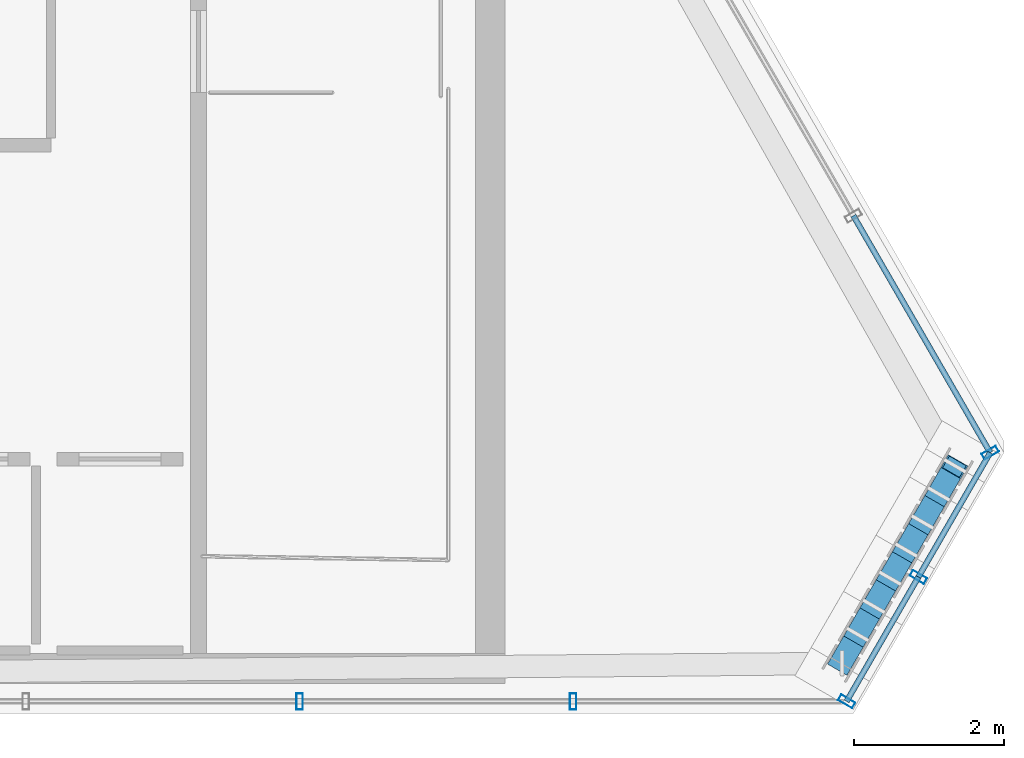
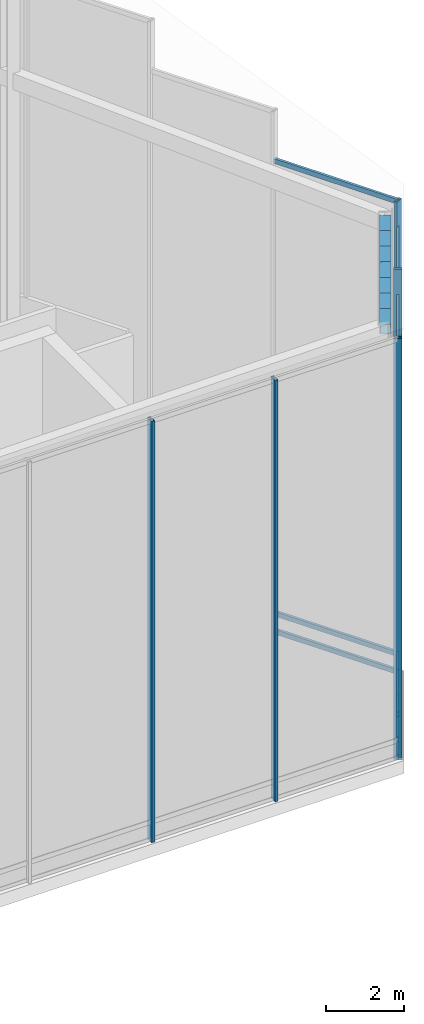
# One storey, part 23 of 36: 21 members, 4 elements without a shape of their own.
"""IFC4 building model written with IfcOpenShell, lengths in metres."""

from ifc_helpers import new_model, si_unit, direction, frame, origin, origin_2d, place, context, subcontext, project, spatial, hollow_rectangle, extrude, material, layer, layer_set, material_profile, profile_set, type_object, element, aggregate, save


model = new_model("IFC4")

# Units and contexts
model_context = context("Model", 3, precision=1e-05, world=origin(), true_north=direction((0.0, 1.0)))
body_context = subcontext(model_context, "Body", "Model", "MODEL_VIEW")
ifc_project = project(units=[si_unit("LENGTHUNIT", "METRE"), si_unit("AREAUNIT", "SQUARE_METRE"), si_unit("VOLUMEUNIT", "CUBIC_METRE"), si_unit("PLANEANGLEUNIT", "RADIAN"), si_unit("MASSUNIT", "GRAM", prefix="KILO")], contexts=[model_context])

# Site, building, storey
site_placement = place(None, origin())
site = spatial("IfcSite", under=ifc_project, at=site_placement, CompositionType="ELEMENT")
building_placement = place(site_placement, origin())
building = spatial("IfcBuilding", under=site, at=building_placement, Name="Ndaravel Arena Tower", CompositionType="ELEMENT")
storey_placement = place(building_placement, frame((0.0, 0.0, 308.10009765625)))
storey = spatial("IfcBuildingStorey", under=building, at=storey_placement, Name="Roof Crown", CompositionType="ELEMENT", Elevation=308.10009765625)

# Members
ifc_material_1 = material(Name="Steel S355", Category="steel")
ifc_material_profile_1 = material_profile(ifc_material_1, hollow_rectangle(XDim=0.300048828125, YDim=0.5, WallThickness=0.02001953125, at=origin_2d()), Name="RHS 500x300x20")
ifc_profile_set_1 = profile_set([ifc_material_profile_1], Name="Steel S355")
member_type_1 = type_object("IfcMemberType", Name="MEM-CRN-RAFTER", PredefinedType="RAFTER", material=ifc_profile_set_1)
for number, where, z_axis, x_axis, name in (
    (1, (62.038818359375, 5.667724609375, 13.185791015625), (0.460433473753, 0.797980986605, 0.388879623102), (-0.866157475642, 0.499771175029, 0.0), "Crown Eaves Ring Member CER-02"),
    (2, (62.255615234375, 6.04345703125, 13.368896484375), (0.460433473753, 0.797980986605, 0.388879623102), (-0.866157475642, 0.499771175029, 0.0), "Crown Eaves Ring Member CER-03"),
    (3, (62.472412109375, 6.419189453125, 13.552001953125), (0.460748998842, 0.797629594171, 0.389226657064), (-0.865913813825, 0.500193229689, 0.0), "Crown Eaves Ring Member CER-04"),
):
    element("IfcMember", number, at=place(storey_placement, frame(where, z_axis=z_axis, x_axis=x_axis)), inside=storey, type_object=member_type_1, Name=name, PredefinedType="RAFTER", context=body_context, shape_type="SweptSolid", body=[
        extrude(hollow_rectangle(XDim=0.300048828125, YDim=0.5, WallThickness=0.02001953125, at=origin_2d()), origin(), (0.0, 0.0, 1.0), 0.470947265625),
    ])
member_1_placement = place(storey_placement, frame((62.689453125, 6.794921875, 13.7353515625), z_axis=(0.460624038162, 0.797792534564, 0.389040572772), x_axis=(-0.866016800201, 0.500014901547, 0.0)))
element("IfcMember", 4, at=member_1_placement, inside=storey, type_object=member_type_1, Name="Crown Eaves Ring Member CER-05", PredefinedType="RAFTER", context=body_context, shape_type="SweptSolid", body=[
    extrude(hollow_rectangle(XDim=0.300048828125, YDim=0.5, WallThickness=0.02001953125, at=origin_2d()), origin(), (0.0, 0.0, 1.0), 0.470703125),
])
member_2_placement = place(storey_placement, frame((62.90625, 7.17041015625, 13.91845703125), z_axis=(0.460340599782, 0.797820025973, 0.389319583824), x_axis=(-0.866157475642, 0.499771175029, 0.0)))
element("IfcMember", 5, at=member_2_placement, inside=storey, type_object=member_type_1, Name="Crown Eaves Ring Member CER-06", PredefinedType="RAFTER", context=body_context, shape_type="SweptSolid", body=[
    extrude(hollow_rectangle(XDim=0.300048828125, YDim=0.5, WallThickness=0.02001953125, at=origin_2d()), origin(), (0.0, 0.0, 1.0), 0.470947265625),
])
member_3_placement = place(storey_placement, frame((63.123046875, 7.546142578125, 14.101806640625), z_axis=(0.461032553142, 0.79760187484, 0.388947598264), x_axis=(-0.865772940384, 0.500437024708, 0.0)))
element("IfcMember", 6, at=member_3_placement, inside=storey, type_object=member_type_1, Name="Crown Eaves Ring Member CER-07", PredefinedType="RAFTER", context=body_context, shape_type="SweptSolid", body=[
    extrude(hollow_rectangle(XDim=0.300048828125, YDim=0.5, WallThickness=0.02001953125, at=origin_2d()), origin(), (0.0, 0.0, 1.0), 0.470703125),
])
member_4_placement = place(storey_placement, frame((63.340087890625, 7.921630859375, 14.284912109375), z_axis=(0.460340599782, 0.797820025973, 0.389319583824), x_axis=(-0.866157475642, 0.499771175029, 0.0)))
element("IfcMember", 7, at=member_4_placement, inside=storey, type_object=member_type_1, Name="Crown Eaves Ring Member CER-08", PredefinedType="RAFTER", context=body_context, shape_type="SweptSolid", body=[
    extrude(hollow_rectangle(XDim=0.300048828125, YDim=0.5, WallThickness=0.02001953125, at=origin_2d()), origin(), (0.0, 0.0, 1.0), 0.470947265625),
])

# Curtain wall, members
ifc_material_2 = material(Name="Aluminium", Category="aluminium")
ifc_layer = layer(ifc_material_2, 0.179931640625)
ifc_layer_set = layer_set([ifc_layer], Name="Aluminium")
curtain_wall_type = type_object("IfcCurtainWallType", Name="CW-SYS-06", PredefinedType="NOTDEFINED", material=ifc_layer_set)
curtain_wall_1_placement = place(storey_placement, origin())
curtain_wall_1 = element("IfcCurtainWall", 8, at=curtain_wall_1_placement, inside=storey, type_object=curtain_wall_type, Name="Roof Crown Sloped Crown Lantern Curtain Wall CW-CROWN-E01", PredefinedType="NOTDEFINED")
ifc_material_3 = material(Name="Aluminium", Category="aluminium")
ifc_material_profile_2 = material_profile(ifc_material_3, hollow_rectangle(XDim=0.090087890625, YDim=0.219970703125, WallThickness=0.0048828125, at=origin_2d()), Name="CW MULLION 90x220x5")
ifc_profile_set_2 = profile_set([ifc_material_profile_2], Name="Aluminium")
member_type_2 = type_object("IfcMemberType", Name="MEM-CW-MUL220", PredefinedType="MULLION", material=ifc_profile_set_2)
member_5_placement = place(storey_placement, frame((54.800537109375, 5.159912109375, 0.0), z_axis=(0.0, 0.0, 1.0), x_axis=(1.0, 0.0, 0.0)))
member_5 = element("IfcMember", 9, at=member_5_placement, type_object=member_type_2, Name="CW-CROWN-E01 Mullion 09", PredefinedType="MULLION", context=body_context, shape_type="SweptSolid", body=[
    extrude(hollow_rectangle(XDim=0.090087890625, YDim=0.219970703125, WallThickness=0.0048828125, at=origin_2d()), origin(), (0.0, 0.0, 1.0), 13.2080078125),
])
member_6_placement = place(storey_placement, frame((58.457763671875, 5.159912109375, 0.0), z_axis=(0.0, 0.0, 1.0), x_axis=(1.0, 0.0, 0.0)))
member_6 = element("IfcMember", 10, at=member_6_placement, type_object=member_type_2, Name="CW-CROWN-E01 Mullion 10", PredefinedType="MULLION", context=body_context, shape_type="SweptSolid", body=[
    extrude(hollow_rectangle(XDim=0.090087890625, YDim=0.219970703125, WallThickness=0.0048828125, at=origin_2d()), origin(), (0.0, 0.0, 1.0), 13.2080078125),
])
aggregate(curtain_wall_1, [member_5, member_6])

# Curtain wall, member
curtain_wall_2_placement = place(storey_placement, origin())
curtain_wall_2 = element("IfcCurtainWall", 11, at=curtain_wall_2_placement, inside=storey, type_object=curtain_wall_type, Name="Roof Crown Sloped Crown Lantern Curtain Wall CW-CROWN-E02-S01", PredefinedType="NOTDEFINED")
member_7_placement = place(storey_placement, frame((62.114990234375, 5.159912109375, 0.0), z_axis=(0.0, 0.0, 1.0), x_axis=(0.5, 0.866025403784, 0.0)))
member_7 = element("IfcMember", 12, at=member_7_placement, type_object=member_type_2, Name="CW-CROWN-E02-S01 Mullion 00", PredefinedType="MULLION", context=body_context, shape_type="SweptSolid", body=[
    extrude(hollow_rectangle(XDim=0.090087890625, YDim=0.219970703125, WallThickness=0.0048828125, at=origin_2d()), origin(), (0.0, 0.0, 1.0), 13.2080078125),
])

curtain_wall_3_placement = place(storey_placement, origin())
curtain_wall_3 = element("IfcCurtainWall", 13, at=curtain_wall_3_placement, inside=storey, type_object=curtain_wall_type, Name="Roof Crown Sloped Crown Lantern Curtain Wall CW-CROWN-E02-S02", PredefinedType="NOTDEFINED")
member_8_placement = place(storey_placement, frame((63.074951171875, 6.822509765625, 0.0), z_axis=(0.0, 0.0, 1.0), x_axis=(0.5, 0.866025403784, 0.0)))
member_8 = element("IfcMember", 14, at=member_8_placement, type_object=member_type_2, Name="CW-CROWN-E02-S02 Mullion 00", PredefinedType="MULLION", context=body_context, shape_type="SweptSolid", body=[
    extrude(hollow_rectangle(XDim=0.090087890625, YDim=0.219970703125, WallThickness=0.0048828125, at=origin_2d()), origin(), (0.0, 0.0, 1.0), 14.018798828125),
])

curtain_wall_4_placement = place(storey_placement, origin())
curtain_wall_4 = element("IfcCurtainWall", 15, at=curtain_wall_4_placement, inside=storey, type_object=curtain_wall_type, Name="Roof Crown Sloped Crown Lantern Curtain Wall CW-CROWN-E03-S01", PredefinedType="NOTDEFINED")
member_9_placement = place(storey_placement, frame((64.034912109375, 8.485107421875, 0.0), z_axis=(0.0, 0.0, 1.0), x_axis=(-0.499984884929, 0.866034130299, 0.0)))
member_9 = element("IfcMember", 16, at=member_9_placement, type_object=member_type_2, Name="CW-CROWN-E03-S01 Mullion 00", PredefinedType="MULLION", context=body_context, shape_type="SweptSolid", body=[
    extrude(hollow_rectangle(XDim=0.090087890625, YDim=0.219970703125, WallThickness=0.0048828125, at=origin_2d()), origin(), (0.0, 0.0, 1.0), 14.829833984375),
])

# Member
ifc_material_4 = material(Name="Aluminium", Category="aluminium")
ifc_material_profile_3 = material_profile(ifc_material_4, hollow_rectangle(XDim=0.074951171875, YDim=0.14990234375, WallThickness=0.00390625, at=origin_2d()), Name="CW TRANSOM 75x150x4")
ifc_profile_set_3 = profile_set([ifc_material_profile_3], Name="Aluminium")
member_type_3 = type_object("IfcMemberType", Name="MEM-CW-TRN150", PredefinedType="USERDEFINED", material=ifc_profile_set_3)
member_10_placement = place(storey_placement, frame((62.114990234375, 5.159912109375, 0.039794921875), z_axis=(0.500023335103, 0.866011930837, 0.0), x_axis=(-0.866011930837, 0.500023335103, 0.0)))
member_10 = element("IfcMember", 17, at=member_10_placement, type_object=member_type_3, Name="CW-CROWN-E02-S01 Transom 01", ObjectType="TRANSOM", PredefinedType="USERDEFINED", context=body_context, shape_type="SweptSolid", body=[
    extrude(hollow_rectangle(XDim=0.074951171875, YDim=0.14990234375, WallThickness=0.00390625, at=origin_2d()), origin(), (0.0, 0.0, 1.0), 1.919921875),
])

member_11_placement = place(storey_placement, frame((62.114990234375, 5.159912109375, 0.599853515625), z_axis=(0.500023335103, 0.866011930837, 0.0), x_axis=(-0.866011930837, 0.500023335103, 0.0)))
member_11 = element("IfcMember", 18, at=member_11_placement, type_object=member_type_3, Name="CW-CROWN-E02-S01 Transom 02", ObjectType="TRANSOM", PredefinedType="USERDEFINED", context=body_context, shape_type="SweptSolid", body=[
    extrude(hollow_rectangle(XDim=0.074951171875, YDim=0.14990234375, WallThickness=0.00390625, at=origin_2d()), origin(), (0.0, 0.0, 1.0), 1.919921875),
])

member_12_placement = place(storey_placement, frame((62.114990234375, 5.159912109375, 13.16796875), z_axis=(0.500023335103, 0.866011930837, 0.0), x_axis=(-0.866011930837, 0.500023335103, 0.0)))
member_12 = element("IfcMember", 19, at=member_12_placement, type_object=member_type_3, Name="CW-CROWN-E02-S01 Transom 03", ObjectType="TRANSOM", PredefinedType="USERDEFINED", context=body_context, shape_type="SweptSolid", body=[
    extrude(hollow_rectangle(XDim=0.074951171875, YDim=0.14990234375, WallThickness=0.00390625, at=origin_2d()), origin(), (0.0, 0.0, 1.0), 1.919921875),
])

aggregate(curtain_wall_2, [member_7, member_10, member_11, member_12])

member_13_placement = place(storey_placement, frame((63.074951171875, 6.822509765625, 0.039794921875), z_axis=(0.500023335103, 0.866011930837, 0.0), x_axis=(-0.866011930837, 0.500023335103, 0.0)))
member_13 = element("IfcMember", 20, at=member_13_placement, type_object=member_type_3, Name="CW-CROWN-E02-S02 Transom 01", ObjectType="TRANSOM", PredefinedType="USERDEFINED", context=body_context, shape_type="SweptSolid", body=[
    extrude(hollow_rectangle(XDim=0.074951171875, YDim=0.14990234375, WallThickness=0.00390625, at=origin_2d()), origin(), (0.0, 0.0, 1.0), 1.919921875),
])

member_14_placement = place(storey_placement, frame((63.074951171875, 6.822509765625, 0.599853515625), z_axis=(0.500023335103, 0.866011930837, 0.0), x_axis=(-0.866011930837, 0.500023335103, 0.0)))
member_14 = element("IfcMember", 21, at=member_14_placement, type_object=member_type_3, Name="CW-CROWN-E02-S02 Transom 02", ObjectType="TRANSOM", PredefinedType="USERDEFINED", context=body_context, shape_type="SweptSolid", body=[
    extrude(hollow_rectangle(XDim=0.074951171875, YDim=0.14990234375, WallThickness=0.00390625, at=origin_2d()), origin(), (0.0, 0.0, 1.0), 1.919921875),
])

member_15_placement = place(storey_placement, frame((63.074951171875, 6.822509765625, 13.97900390625), z_axis=(0.500023335103, 0.866011930837, 0.0), x_axis=(-0.866011930837, 0.500023335103, 0.0)))
member_15 = element("IfcMember", 22, at=member_15_placement, type_object=member_type_3, Name="CW-CROWN-E02-S02 Transom 03", ObjectType="TRANSOM", PredefinedType="USERDEFINED", context=body_context, shape_type="SweptSolid", body=[
    extrude(hollow_rectangle(XDim=0.074951171875, YDim=0.14990234375, WallThickness=0.00390625, at=origin_2d()), origin(), (0.0, 0.0, 1.0), 1.919921875),
])

aggregate(curtain_wall_3, [member_8, member_13, member_14, member_15])

member_16_placement = place(storey_placement, frame((64.034912109375, 8.485107421875, 0.039794921875), z_axis=(-0.499972845398, 0.866041080934, 0.0), x_axis=(-0.866041080934, -0.499972845398, 0.0)))
member_16 = element("IfcMember", 23, at=member_16_placement, type_object=member_type_3, Name="CW-CROWN-E03-S01 Transom 01", ObjectType="TRANSOM", PredefinedType="USERDEFINED", context=body_context, shape_type="SweptSolid", body=[
    extrude(hollow_rectangle(XDim=0.074951171875, YDim=0.14990234375, WallThickness=0.00390625, at=origin_2d()), origin(), (0.0, 0.0, 1.0), 3.657470703125),
])

member_17_placement = place(storey_placement, frame((64.034912109375, 8.485107421875, 0.599853515625), z_axis=(-0.499972845398, 0.866041080934, 0.0), x_axis=(-0.866041080934, -0.499972845398, 0.0)))
member_17 = element("IfcMember", 24, at=member_17_placement, type_object=member_type_3, Name="CW-CROWN-E03-S01 Transom 02", ObjectType="TRANSOM", PredefinedType="USERDEFINED", context=body_context, shape_type="SweptSolid", body=[
    extrude(hollow_rectangle(XDim=0.074951171875, YDim=0.14990234375, WallThickness=0.00390625, at=origin_2d()), origin(), (0.0, 0.0, 1.0), 3.657470703125),
])

member_18_placement = place(storey_placement, frame((64.034912109375, 8.485107421875, 14.789794921875), z_axis=(-0.499972845398, 0.866041080934, 0.0), x_axis=(-0.866041080934, -0.499972845398, 0.0)))
member_18 = element("IfcMember", 25, at=member_18_placement, type_object=member_type_3, Name="CW-CROWN-E03-S01 Transom 03", ObjectType="TRANSOM", PredefinedType="USERDEFINED", context=body_context, shape_type="SweptSolid", body=[
    extrude(hollow_rectangle(XDim=0.074951171875, YDim=0.14990234375, WallThickness=0.00390625, at=origin_2d()), origin(), (0.0, 0.0, 1.0), 3.657470703125),
])

aggregate(curtain_wall_4, [member_9, member_16, member_17, member_18])

save(model, "model.ifc")
